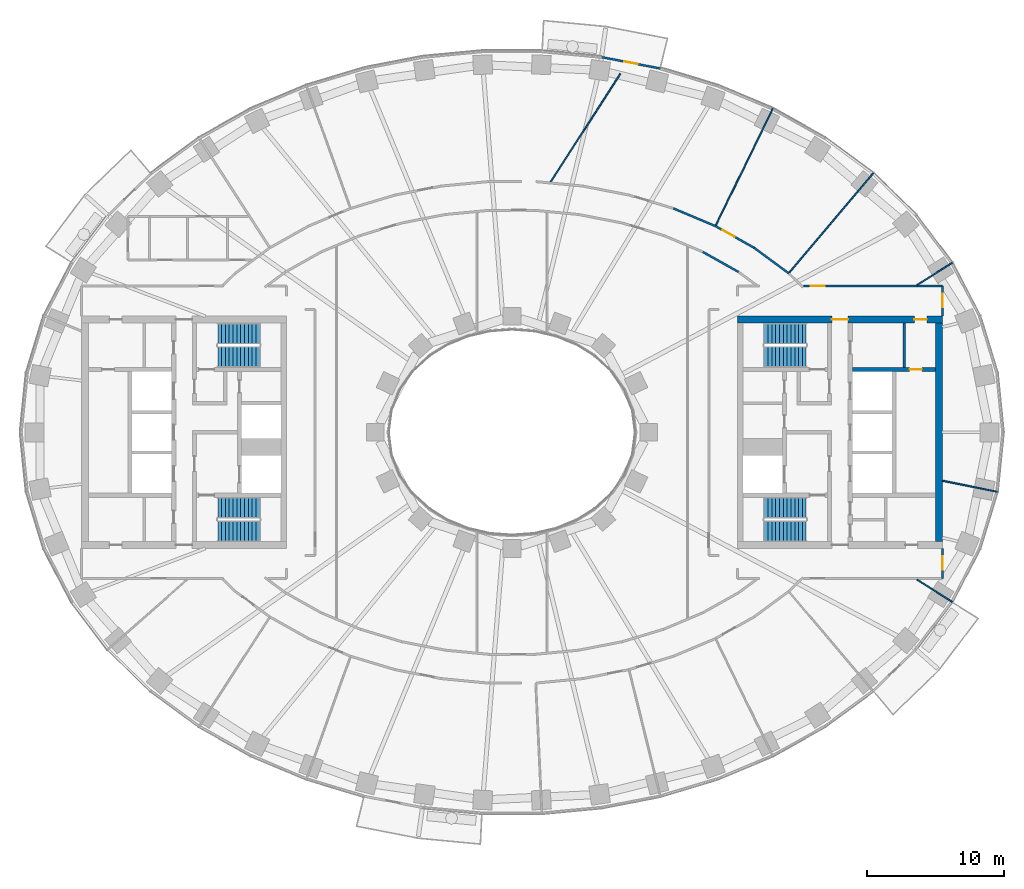
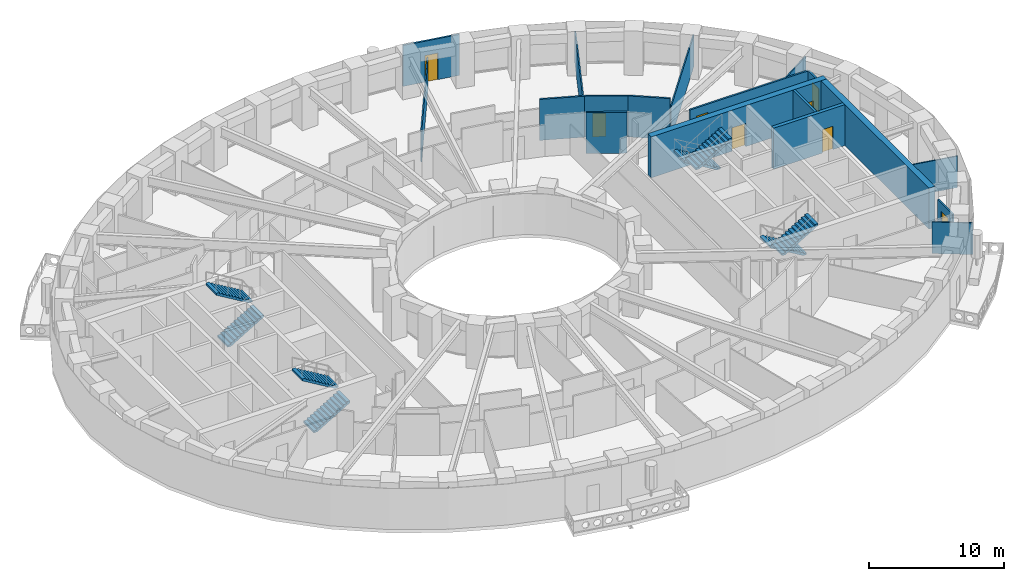
# One storey, part 7 of 16: 18 walls, 8 doors, 8 stair flights, 8 openings, 4 elements without a shape of their own.
"""IFC4 building model written with IfcOpenShell, lengths in metres."""

import ifcopenshell
import ifcopenshell.guid

model = None  # the IFC model being written
_history = None  # IfcOwnerHistory: only IFC2X3 demands one
_inside = {}  # id of a spatial element -> (the spatial element, [elements in it])
_under = {}  # id of a project, library or spatial element -> (it, [spatial elements below it])
_declared = {}  # id of a project -> (the project, [libraries it declares])
_typed = {}  # id of a type object -> (the type object, [elements of that type])
_made_of = {}  # id of a material, layer set ... -> (it, [elements and type objects made of it])


def new_model(schema):
    """Start an empty IFC model of exactly this schema.

    Asked for "IFC4X3", IfcOpenShell would pick the latest addendum, in which some entities
    have other attributes; the version numbers below select the first issue.
    IFC2X3 requires an IfcOwnerHistory on every rooted entity: one is made here for all.
    """
    global model, _history
    if schema == "IFC4X3":
        model = ifcopenshell.file(schema_version=(4, 3, 0, 0))
    else:
        model = ifcopenshell.file(schema=schema)
    _inside.clear()
    _under.clear()
    _declared.clear()
    _typed.clear()
    _made_of.clear()
    _history = None
    if model.schema == "IFC2X3":
        org = make("IfcOrganization", Name="unknown")
        user = make(
            "IfcPersonAndOrganization",
            ThePerson=make("IfcPerson", FamilyName="unknown"),
            TheOrganization=org,
        )
        app = make(
            "IfcApplication",
            ApplicationDeveloper=org,
            Version="unknown",
            ApplicationFullName="unknown",
            ApplicationIdentifier="unknown",
        )
        _history = make(
            "IfcOwnerHistory",
            OwningUser=user,
            OwningApplication=app,
            ChangeAction="ADDED",
            CreationDate=0,
        )
    return model


def make(cls, **values):
    """One entity of the class cls with the attributes given. An attribute that is None is left unset."""
    return model.create_entity(
        cls, **{name: value for name, value in values.items() if value is not None}
    )


def rooted(cls, **values):
    """An entity with a GlobalId (a new one), such as an element, a storey or a relation."""
    return make(cls, GlobalId=ifcopenshell.guid.new(), OwnerHistory=_history, **values)


def si_unit(unit_type, name, prefix=None):
    """IfcSIUnit, for example si_unit("LENGTHUNIT", "METRE", prefix="MILLI")."""
    return make("IfcSIUnit", UnitType=unit_type, Prefix=prefix, Name=name)


def assignment(units):
    """IfcUnitAssignment: the units of a project."""
    return None if units is None else make("IfcUnitAssignment", Units=units)


def point(xyz):
    """IfcCartesianPoint."""
    return None if xyz is None else make("IfcCartesianPoint", Coordinates=xyz)


def direction(xyz):
    """IfcDirection."""
    return None if xyz is None else make("IfcDirection", DirectionRatios=xyz)


def frame(location, z_axis=None, x_axis=None):
    """IfcAxis2Placement3D, a coordinate frame: its origin and axes. An axis left out is left unset."""
    return make(
        "IfcAxis2Placement3D",
        Location=point(location),
        Axis=direction(z_axis),
        RefDirection=direction(x_axis),
    )


def frame_2d(location, x_axis=None):
    """IfcAxis2Placement2D, a coordinate frame in the plane: its origin and x axis."""
    return make(
        "IfcAxis2Placement2D", Location=point(location), RefDirection=direction(x_axis)
    )


def origin():
    """The frame at (0, 0, 0) with its axes left unset."""
    return frame((0.0, 0.0, 0.0))


def place(relative_to, where):
    """IfcLocalPlacement: puts the frame where relative to a parent placement (None: the world)."""
    return make(
        "IfcLocalPlacement", PlacementRelTo=relative_to, RelativePlacement=where
    )


def context(
    kind, dimensions, precision=None, world=None, true_north=None, identifier=None
):
    """IfcGeometricRepresentationContext, for example the 3D "Model" context."""
    return make(
        "IfcGeometricRepresentationContext",
        ContextIdentifier=identifier,
        ContextType=kind,
        CoordinateSpaceDimension=dimensions,
        Precision=precision,
        WorldCoordinateSystem=world,
        TrueNorth=true_north,
    )


def subcontext(parent, identifier, kind, view, scale=None):
    """IfcGeometricRepresentationSubContext, for example "Body" below "Model"."""
    return make(
        "IfcGeometricRepresentationSubContext",
        ContextIdentifier=identifier,
        ContextType=kind,
        ParentContext=parent,
        TargetScale=scale,
        TargetView=view,
    )


def project(units=None, contexts=None):
    """IfcProject with its units and contexts."""
    return rooted(
        "IfcProject",
        Name="project",
        RepresentationContexts=contexts,
        UnitsInContext=assignment(units),
    )


def spatial(cls, under=None, at=None, **own):
    """A site, building, storey or space (cls), placed at a placement, below another one or the project."""
    s = rooted(cls, ObjectPlacement=at, **own)
    if under is not None:
        _under.setdefault(under.id(), (under, []))[1].append(s)
    return s


def polyline(points):
    """IfcPolyline through the points."""
    return make("IfcPolyline", Points=[point(p) for p in points])


def profile(cls, at=None, kind="AREA", **sizes):
    """A parametric profile (cls). Its sizes go by their IFC names, for example OverallWidth=200.0."""
    return make(cls, ProfileType=kind, Position=at, **sizes)


def rectangle(**sizes):
    """IfcRectangleProfileDef."""
    return profile("IfcRectangleProfileDef", **sizes)


def outline(outer, holes=None, kind="AREA"):
    """IfcArbitraryClosedProfileDef: a profile drawn as a closed curve; with holes, ...WithVoids."""
    if holes is None:
        return make("IfcArbitraryClosedProfileDef", ProfileType=kind, OuterCurve=outer)
    return make(
        "IfcArbitraryProfileDefWithVoids",
        ProfileType=kind,
        OuterCurve=outer,
        InnerCurves=holes,
    )


def extrude(swept, where, along, depth):
    """IfcExtrudedAreaSolid: the profile swept, set in the frame where, extruded along a direction by depth."""
    return make(
        "IfcExtrudedAreaSolid",
        SweptArea=swept,
        Position=where,
        ExtrudedDirection=direction(along),
        Depth=depth,
    )


def shape(context_of_items, identifier, shape_type, items):
    """IfcShapeRepresentation: the items that make up one representation, for example the "Body"."""
    return make(
        "IfcShapeRepresentation",
        ContextOfItems=context_of_items,
        RepresentationIdentifier=identifier,
        RepresentationType=shape_type,
        Items=items,
    )


def material(Name=None, Category=None):
    """IfcMaterial."""
    return make("IfcMaterial", Name=Name, Category=Category)


def layer(
    of_material, thickness, ventilated=None, Name=None, Category=None, Priority=None
):
    """IfcMaterialLayer: one layer of a wall or slab, of a material (None: an air gap)."""
    return make(
        "IfcMaterialLayer",
        Material=of_material,
        LayerThickness=thickness,
        IsVentilated=ventilated,
        Name=Name,
        Category=Category,
        Priority=Priority,
    )


def layer_set(layers, Name=None):
    """IfcMaterialLayerSet."""
    return make("IfcMaterialLayerSet", MaterialLayers=layers, LayerSetName=Name)


def made_of(thing, what):
    """Note that an element or type object is made of a material, layer set ...; save() writes the relation."""
    if what is not None:
        _made_of.setdefault(what.id(), (what, []))[1].append(thing)
    return thing


def type_object(cls, material=None, **own):
    """A type object (cls), such as IfcWallType, which elements share."""
    return made_of(rooted(cls, **own), material)


def element(
    cls,
    number,
    at=None,
    inside=None,
    cuts=None,
    type_object=None,
    material=None,
    context=None,
    identifier="Body",
    shape_type=None,
    held_by="IfcProductDefinitionShape",
    body=None,
    shapes=None,
    **own,
):
    """One element of the class cls, such as IfcWall. Its Tag is "e" and its number.

    at: its placement. inside: the storey or other place that contains it. cuts: it is an
    opening in that element (IfcRelVoidsElement). A single representation is given by context,
    identifier, shape_type and body (its items); several are given by shapes. held_by: the class
    of the entity that holds the representations. save() writes the other relations.
    """
    e = rooted(cls, Tag="e%d" % number, ObjectPlacement=at, **own)
    if body is not None:
        shapes = [shape(context, identifier, shape_type, body)]
    if shapes is not None:
        e.Representation = make(held_by, Representations=shapes)
    if inside is not None:
        _inside.setdefault(inside.id(), (inside, []))[1].append(e)
    if cuts is not None:
        rooted(
            "IfcRelVoidsElement", RelatingBuildingElement=cuts, RelatedOpeningElement=e
        )
    if type_object is not None:
        _typed.setdefault(type_object.id(), (type_object, []))[1].append(e)
    return made_of(e, material)


def fill(opening, filler):
    """IfcRelFillsElement: the door or window that sits in an opening."""
    return rooted(
        "IfcRelFillsElement",
        RelatingOpeningElement=opening,
        RelatedBuildingElement=filler,
    )


def aggregate(whole, parts):
    """IfcRelAggregates: a whole, such as a stair, and the parts it consists of."""
    return rooted("IfcRelAggregates", RelatingObject=whole, RelatedObjects=parts)


def save(model, path):
    """Write the relations noted so far, then the file.

    IfcRelAggregates (storeys below a building ...), IfcRelContainedInSpatialStructure (elements
    in a storey), IfcRelDefinesByType, IfcRelAssociatesMaterial and IfcRelDeclares: one each for
    every whole, place, type object, material and project.
    """
    for whole, parts in _under.values():
        aggregate(whole, parts)
    for where, things in _inside.values():
        rooted(
            "IfcRelContainedInSpatialStructure",
            RelatedElements=things,
            RelatingStructure=where,
        )
    for kind, things in _typed.values():
        rooted("IfcRelDefinesByType", RelatedObjects=things, RelatingType=kind)
    for what, things in _made_of.values():
        rooted("IfcRelAssociatesMaterial", RelatedObjects=things, RelatingMaterial=what)
    for by, libraries in _declared.values():
        rooted("IfcRelDeclares", RelatingContext=by, RelatedDefinitions=libraries)
    model.write(path)


model = new_model("IFC4")

# Units and contexts
model_context = context("Model", 3, precision=1e-05, world=origin(), true_north=direction((0.0, 1.0)))
body_context = subcontext(model_context, "Body", "Model", "MODEL_VIEW")
ifc_project = project(units=[si_unit("LENGTHUNIT", "METRE"), si_unit("AREAUNIT", "SQUARE_METRE"), si_unit("VOLUMEUNIT", "CUBIC_METRE"), si_unit("PLANEANGLEUNIT", "RADIAN"), si_unit("MASSUNIT", "GRAM", prefix="KILO")], contexts=[model_context])

# Site, building, storey
site_placement = place(None, origin())
site = spatial("IfcSite", under=ifc_project, at=site_placement, CompositionType="ELEMENT")
building_placement = place(site_placement, origin())
building = spatial("IfcBuilding", under=site, at=building_placement, Name="Noorbagh Ring Tower", CompositionType="ELEMENT")
storey_placement = place(building_placement, frame((0.0, 0.0, 70.5)))
storey = spatial("IfcBuildingStorey", under=building, at=storey_placement, Name="L15", CompositionType="ELEMENT", Elevation=70.5)

# Wall
ifc_material_1 = material(Name="Gypsum board on steel studs", Category="steel")
ifc_layer_1 = layer(ifc_material_1, 0.199951171875)
ifc_layer_set_1 = layer_set([ifc_layer_1], Name="Gypsum board on steel studs")
wall_type_1 = type_object("IfcWallType", Name="CORE-PARTITION-200", PredefinedType="PARTITIONING", material=ifc_layer_set_1)
wall_1_placement = place(storey_placement, frame((28.699951171875, 4.75, 0.0), z_axis=(0.0, 0.0, 1.0), x_axis=(0.0, 1.0, 0.0)))
element("IfcWall", 1, at=wall_1_placement, inside=storey, type_object=wall_type_1, Name="Core partition E", PredefinedType="PARTITIONING", context=body_context, shape_type="SweptSolid", body=[
    extrude(rectangle(XDim=3.25, YDim=0.199951171875, at=frame_2d((1.625, 0.0))), origin(), (0.0, 0.0, 1.0), 3.699951171875),
])

# Wall, opening, door
ifc_material_2 = material(Name="Concrete C70/85", Category="concrete")
ifc_layer_2 = layer(ifc_material_2, 0.300048828125)
ifc_layer_set_2 = layer_set([ifc_layer_2], Name="Concrete C70/85")
wall_type_2 = type_object("IfcWallType", Name="CORE-WALL-300-C70-85-EI240", PredefinedType="SHEAR", material=ifc_layer_set_2)
wall_2_placement = place(storey_placement, frame((24.89990234375, 4.60009765625, 0.0), z_axis=(0.0, 0.0, 1.0), x_axis=(1.0, 0.0, 0.0)))
wall_2 = element("IfcWall", 2, at=wall_2_placement, inside=storey, type_object=wall_type_2, Name="Core wall E", PredefinedType="SHEAR", context=body_context, shape_type="SweptSolid", body=[
    extrude(rectangle(XDim=6.10009765625, YDim=0.300048828125, at=frame_2d((3.050048828125, 0.0))), origin(), (0.0, 0.0, 1.0), 3.699951171875),
])
opening_1_placement = place(wall_2_placement, frame((4.199951171875, 0.0, 0.0)))
opening_1 = element("IfcOpeningElement", 3, at=opening_1_placement, cuts=wall_2, Name="Opening L15-CE18", PredefinedType="OPENING", context=body_context, shape_type="SweptSolid", body=[
    extrude(rectangle(XDim=0.89990234375, YDim=2.10009765625, at=frame_2d((0.449951171875, 1.050048828125))), frame((0.0, 0.16015625, 0.0), z_axis=(0.0, -1.0, 0.0), x_axis=(1.0, 0.0, 0.0)), (0.0, 0.0, 1.0), 0.320068359375),
])
ifc_material_3 = material(Name="Steel door leaf", Category="steel")
door_type_1 = type_object("IfcDoorType", Name="CORE-DOOR-DROOM", OperationType="SINGLE_SWING_LEFT", PredefinedType="DOOR", material=ifc_material_3)
door_1_placement = place(opening_1_placement, origin())
door_1 = element("IfcDoor", 4, at=door_1_placement, inside=storey, type_object=door_type_1, Name="Core room door L15-CE18", OperationType="SINGLE_SWING_RIGHT", OverallHeight=2.10009765625, OverallWidth=0.89990234375, PredefinedType="DOOR", context=body_context, shape_type="SweptSolid", body=[
    extrude(rectangle(XDim=0.89990234375, YDim=2.10009765625, at=frame_2d((0.449951171875, 1.050048828125))), frame((0.0, 0.02490234375, 0.0), z_axis=(0.0, -1.0, 0.0), x_axis=(1.0, 0.0, 0.0)), (0.0, 0.0, 1.0), 0.050048828125),
])
fill(opening_1, door_1)

# Wall, openings, doors
ifc_material_4 = material(Name="Concrete C70/85", Category="concrete")
ifc_layer_3 = layer(ifc_material_4, 0.5)
ifc_layer_set_3 = layer_set([ifc_layer_3], Name="Concrete C70/85")
wall_type_3 = type_object("IfcWallType", Name="CORE-WALL-500-C70-85-EI240", PredefinedType="SHEAR", material=ifc_layer_set_3)
wall_3_placement = place(storey_placement, frame((16.5, 8.25, 0.0), z_axis=(0.0, 0.0, 1.0), x_axis=(1.0, 0.0, 0.0)))
wall_3 = element("IfcWall", 5, at=wall_3_placement, inside=storey, type_object=wall_type_3, Name="Core wall E", PredefinedType="SHEAR", context=body_context, shape_type="SweptSolid", body=[
    extrude(rectangle(XDim=15.0, YDim=0.5, at=frame_2d((7.5, 0.0))), origin(), (0.0, 0.0, 1.0), 3.699951171875),
])
opening_2_placement = place(wall_3_placement, frame((6.89990234375, 0.0, 0.0)))
opening_2 = element("IfcOpeningElement", 6, at=opening_2_placement, cuts=wall_3, Name="Opening L15-CE09", PredefinedType="OPENING", context=body_context, shape_type="SweptSolid", body=[
    extrude(rectangle(XDim=1.199951171875, YDim=2.10009765625, at=frame_2d((0.60009765625, 1.050048828125))), frame((0.0, 0.260009765625, 0.0), z_axis=(0.0, -1.0, 0.0), x_axis=(1.0, 0.0, 0.0)), (0.0, 0.0, 1.0), 0.52001953125),
])
opening_3_placement = place(wall_3_placement, frame((12.949951171875, 0.0, 0.0)))
opening_3 = element("IfcOpeningElement", 7, at=opening_3_placement, cuts=wall_3, Name="Opening L15-CE14", PredefinedType="OPENING", context=body_context, shape_type="SweptSolid", body=[
    extrude(rectangle(XDim=0.89990234375, YDim=2.10009765625, at=frame_2d((0.449951171875, 1.050048828125))), frame((0.0, 0.260009765625, 0.0), z_axis=(0.0, -1.0, 0.0), x_axis=(1.0, 0.0, 0.0)), (0.0, 0.0, 1.0), 0.52001953125),
])
door_2_placement = place(opening_3_placement, origin())
door_2 = element("IfcDoor", 8, at=door_2_placement, inside=storey, type_object=door_type_1, Name="Core room door L15-CE14", OperationType="SINGLE_SWING_LEFT", OverallHeight=2.10009765625, OverallWidth=0.89990234375, PredefinedType="DOOR", context=body_context, shape_type="SweptSolid", body=[
    extrude(rectangle(XDim=0.89990234375, YDim=2.10009765625, at=frame_2d((0.449951171875, 1.050048828125))), frame((0.0, 0.02490234375, 0.0), z_axis=(0.0, -1.0, 0.0), x_axis=(1.0, 0.0, 0.0)), (0.0, 0.0, 1.0), 0.050048828125),
])
fill(opening_3, door_2)
ifc_material_5 = material(Name="Steel door leaf", Category="steel")
door_type_2 = type_object("IfcDoorType", Name="CORE-DOOR-PORT", OperationType="DOUBLE_DOOR_DOUBLE_SWING", PredefinedType="DOOR", material=ifc_material_5)
door_3_placement = place(opening_2_placement, origin())
door_3 = element("IfcDoor", 9, at=door_3_placement, inside=storey, type_object=door_type_2, Name="Core entrance door L15-CE09", OperationType="DOUBLE_DOOR_DOUBLE_SWING", OverallHeight=2.10009765625, OverallWidth=1.199951171875, PredefinedType="DOOR", context=body_context, shape_type="SweptSolid", body=[
    extrude(rectangle(XDim=1.199951171875, YDim=2.10009765625, at=frame_2d((0.60009765625, 1.050048828125))), frame((0.0, 0.02490234375, 0.0), z_axis=(0.0, -1.0, 0.0), x_axis=(1.0, 0.0, 0.0)), (0.0, 0.0, 1.0), 0.050048828125),
])
fill(opening_2, door_3)

# Walls
wall_4_placement = place(storey_placement, frame((31.25, -8.0, 0.0), z_axis=(0.0, 0.0, 1.0), x_axis=(0.0, 1.0, 0.0)))
element("IfcWall", 10, at=wall_4_placement, inside=storey, type_object=wall_type_3, Name="Core wall E", PredefinedType="SHEAR", context=body_context, shape_type="SweptSolid", body=[
    extrude(rectangle(XDim=16.0, YDim=0.5, at=frame_2d((8.0, 0.0))), origin(), (0.0, 0.0, 1.0), 3.699951171875),
])
ifc_material_6 = material(Name="Gypsum board on steel studs", Category="steel")
ifc_layer_4 = layer(ifc_material_6, 0.14990234375)
ifc_layer_set_4 = layer_set([ifc_layer_4], Name="Gypsum board on steel studs")
wall_type_4 = type_object("IfcWallType", Name="CORRIDOR PARTITION 150 EI 30", PredefinedType="PARTITIONING", material=ifc_layer_set_4)
wall_5_placement = place(storey_placement, frame((11.81201171875, 16.384033203125, 0.0), z_axis=(0.0, 0.0, 1.0), x_axis=(0.921839278558, -0.387572373252, 0.0)))
element("IfcWall", 11, at=wall_5_placement, inside=storey, type_object=wall_type_4, Name="L15/wall/P79", PredefinedType="PARTITIONING", context=body_context, shape_type="SweptSolid", body=[
    extrude(rectangle(XDim=3.33349609375, YDim=0.14990234375, at=frame_2d((1.666748046875, 0.0))), origin(), (0.0, 0.0, 1.0), 3.699951171875),
])
wall_6_placement = place(storey_placement, frame((13.9609375, 13.201904296875, 0.0), z_axis=(0.0, 0.0, 1.0), x_axis=(0.872164226045, -0.489213207924, 0.0)))
element("IfcWall", 12, at=wall_6_placement, inside=storey, type_object=wall_type_4, Name="L15/wall/P82", PredefinedType="PARTITIONING", context=body_context, shape_type="SweptSolid", body=[
    extrude(rectangle(XDim=2.998291015625, YDim=0.14990234375, at=frame_2d((1.4990234375, 0.0))), origin(), (0.0, 0.0, 1.0), 3.699951171875),
])

# Wall, opening, door
wall_7_placement = place(storey_placement, frame((14.902099609375, 15.08203125, 0.0), z_axis=(0.0, 0.0, 1.0), x_axis=(0.872144615544, -0.489248167679, 0.0)))
wall_7 = element("IfcWall", 13, at=wall_7_placement, inside=storey, type_object=wall_type_4, Name="L15/wall/P89", PredefinedType="PARTITIONING", context=body_context, shape_type="SweptSolid", body=[
    extrude(rectangle(XDim=3.2275390625, YDim=0.14990234375, at=frame_2d((1.61376953125, 0.0))), origin(), (0.0, 0.0, 1.0), 3.699951171875),
])
opening_4_placement = place(wall_7_placement, frame((0.57763671875, 0.0, 0.0)))
opening_4 = element("IfcOpeningElement", 14, at=opening_4_placement, cuts=wall_7, Name="Opening D1", PredefinedType="OPENING", context=body_context, shape_type="SweptSolid", body=[
    extrude(rectangle(XDim=1.0, YDim=2.10009765625, at=frame_2d((0.5, 1.050048828125))), frame((0.0, 0.0849609375, 0.0), z_axis=(0.0, -1.0, 0.0), x_axis=(1.0, 0.0, 0.0)), (0.0, 0.0, 1.0), 0.169921875),
])
ifc_material_7 = material(Name="Timber, painted", Category="wood")
door_type_3 = type_object("IfcDoorType", Name="DOOR 1000 X 2100 FD30", OperationType="SINGLE_SWING_LEFT", PredefinedType="DOOR", material=ifc_material_7)
door_4_placement = place(opening_4_placement, origin())
door_4 = element("IfcDoor", 15, at=door_4_placement, inside=storey, type_object=door_type_3, Name="L15-D16", OperationType="SINGLE_SWING_RIGHT", OverallHeight=2.10009765625, OverallWidth=1.0, PredefinedType="DOOR", context=body_context, shape_type="SweptSolid", body=[
    extrude(rectangle(XDim=1.0, YDim=2.10009765625, at=frame_2d((0.5, 1.050048828125))), frame((0.0, 0.02490234375, 0.0), z_axis=(0.0, -1.0, 0.0), x_axis=(1.0, 0.0, 0.0)), (0.0, 0.0, 1.0), 0.050048828125),
])
fill(opening_4, door_4)

# Wall
wall_8_placement = place(storey_placement, frame((17.717041015625, 13.5029296875, 0.0), z_axis=(0.0, 0.0, 1.0), x_axis=(0.805106688633, -0.593130019404, 0.0)))
element("IfcWall", 16, at=wall_8_placement, inside=storey, type_object=wall_type_4, Name="L15/wall/P97", PredefinedType="PARTITIONING", context=body_context, shape_type="SweptSolid", body=[
    extrude(rectangle(XDim=3.13720703125, YDim=0.14990234375, at=frame_2d((1.568603515625, 0.0))), origin(), (0.0, 0.0, 1.0), 3.699951171875),
])

# Wall, opening, door
wall_9_placement = place(storey_placement, frame((21.320068359375, 10.699951171875, 0.0), z_axis=(0.0, 0.0, 1.0), x_axis=(1.0, 0.0, 0.0)))
wall_9 = element("IfcWall", 17, at=wall_9_placement, inside=storey, type_object=wall_type_4, Name="L15/wall/P103", PredefinedType="PARTITIONING", context=body_context, shape_type="SweptSolid", body=[
    extrude(rectangle(XDim=10.179931640625, YDim=0.14990234375, at=frame_2d((5.08984375, 0.0))), origin(), (0.0, 0.0, 1.0), 2.85009765625),
])
opening_5_placement = place(wall_9_placement, frame((0.551025390625, 0.0, 0.0)))
opening_5 = element("IfcOpeningElement", 18, at=opening_5_placement, cuts=wall_9, Name="Opening D1", PredefinedType="OPENING", context=body_context, shape_type="SweptSolid", body=[
    extrude(rectangle(XDim=1.0, YDim=2.10009765625, at=frame_2d((0.5, 1.050048828125))), frame((0.0, 0.0849609375, 0.0), z_axis=(0.0, -1.0, 0.0), x_axis=(1.0, 0.0, 0.0)), (0.0, 0.0, 1.0), 0.169921875),
])
door_5_placement = place(opening_5_placement, origin())
door_5 = element("IfcDoor", 19, at=door_5_placement, inside=storey, type_object=door_type_3, Name="L15-D18", OperationType="SINGLE_SWING_RIGHT", OverallHeight=2.10009765625, OverallWidth=1.0, PredefinedType="DOOR", context=body_context, shape_type="SweptSolid", body=[
    extrude(rectangle(XDim=1.0, YDim=2.10009765625, at=frame_2d((0.5, 1.050048828125))), frame((0.0, 0.02490234375, 0.0), z_axis=(0.0, -1.0, 0.0), x_axis=(1.0, 0.0, 0.0)), (0.0, 0.0, 1.0), 0.050048828125),
])
fill(opening_5, door_5)

wall_10_placement = place(storey_placement, frame((31.5, -10.699951171875, 0.0), z_axis=(0.0, 0.0, 1.0), x_axis=(0.0, 1.0, 0.0)))
wall_10 = element("IfcWall", 20, at=wall_10_placement, inside=storey, type_object=wall_type_4, Name="L15/wall/P106", PredefinedType="PARTITIONING", context=body_context, shape_type="SweptSolid", body=[
    extrude(rectangle(XDim=2.199951171875, YDim=0.14990234375, at=frame_2d((1.10009765625, 0.0))), origin(), (0.0, 0.0, 1.0), 2.85009765625),
])
opening_6_placement = place(wall_10_placement, frame((0.64990234375, 0.0, 0.0)))
opening_6 = element("IfcOpeningElement", 21, at=opening_6_placement, cuts=wall_10, Name="Opening D1", PredefinedType="OPENING", context=body_context, shape_type="SweptSolid", body=[
    extrude(rectangle(XDim=1.0, YDim=2.10009765625, at=frame_2d((0.5, 1.050048828125))), frame((0.0, 0.0849609375, 0.0), z_axis=(0.0, -1.0, 0.0), x_axis=(1.0, 0.0, 0.0)), (0.0, 0.0, 1.0), 0.169921875),
])
door_6_placement = place(opening_6_placement, origin())
door_6 = element("IfcDoor", 22, at=door_6_placement, inside=storey, type_object=door_type_3, Name="L15-D19", OperationType="SINGLE_SWING_LEFT", OverallHeight=2.10009765625, OverallWidth=1.0, PredefinedType="DOOR", context=body_context, shape_type="SweptSolid", body=[
    extrude(rectangle(XDim=1.0, YDim=2.10009765625, at=frame_2d((0.5, 1.050048828125))), frame((0.0, 0.02490234375, 0.0), z_axis=(0.0, -1.0, 0.0), x_axis=(1.0, 0.0, 0.0)), (0.0, 0.0, 1.0), 0.050048828125),
])
fill(opening_6, door_6)

wall_11_placement = place(storey_placement, frame((31.5, 8.5, 0.0), z_axis=(0.0, 0.0, 1.0), x_axis=(0.0, 1.0, 0.0)))
wall_11 = element("IfcWall", 23, at=wall_11_placement, inside=storey, type_object=wall_type_4, Name="L15/wall/P108", PredefinedType="PARTITIONING", context=body_context, shape_type="SweptSolid", body=[
    extrude(rectangle(XDim=2.199951171875, YDim=0.14990234375, at=frame_2d((1.10009765625, 0.0))), origin(), (0.0, 0.0, 1.0), 2.85009765625),
])
opening_7_placement = place(wall_11_placement, frame((0.64990234375, 0.0, 0.0)))
opening_7 = element("IfcOpeningElement", 24, at=opening_7_placement, cuts=wall_11, Name="Opening D1", PredefinedType="OPENING", context=body_context, shape_type="SweptSolid", body=[
    extrude(rectangle(XDim=1.0, YDim=2.10009765625, at=frame_2d((0.5, 1.050048828125))), frame((0.0, 0.0849609375, 0.0), z_axis=(0.0, -1.0, 0.0), x_axis=(1.0, 0.0, 0.0)), (0.0, 0.0, 1.0), 0.169921875),
])
door_7_placement = place(opening_7_placement, origin())
door_7 = element("IfcDoor", 25, at=door_7_placement, inside=storey, type_object=door_type_3, Name="L15-D20", OperationType="SINGLE_SWING_RIGHT", OverallHeight=2.10009765625, OverallWidth=1.0, PredefinedType="DOOR", context=body_context, shape_type="SweptSolid", body=[
    extrude(rectangle(XDim=1.0, YDim=2.10009765625, at=frame_2d((0.5, 1.050048828125))), frame((0.0, 0.02490234375, 0.0), z_axis=(0.0, -1.0, 0.0), x_axis=(1.0, 0.0, 0.0)), (0.0, 0.0, 1.0), 0.050048828125),
])
fill(opening_7, door_7)

ifc_material_8 = material(Name="Insulated aluminium clad panel", Category="aluminium")
ifc_layer_5 = layer(ifc_material_8, 0.14990234375)
ifc_layer_set_5 = layer_set([ifc_layer_5], Name="Insulated aluminium clad panel")
wall_type_5 = type_object("IfcWallType", Name="ENV-WALL-DOOR", PredefinedType="STANDARD", material=ifc_layer_set_5)
wall_12_placement = place(storey_placement, frame((10.87060546875, 26.616943359375, 0.0), z_axis=(0.0, 0.0, 1.0), x_axis=(-0.981631174778, 0.190788460615, 0.0)))
wall_12 = element("IfcWall", 26, at=wall_12_placement, inside=storey, type_object=wall_type_5, Name="Balcony door wall chord 10", PredefinedType="STANDARD", context=body_context, shape_type="SweptSolid", body=[
    extrude(rectangle(XDim=4.42626953125, YDim=0.14990234375, at=frame_2d((2.213134765625, 0.0))), origin(), (0.0, 0.0, 1.0), 3.699951171875),
])
opening_8_placement = place(wall_12_placement, frame((1.713134765625, 0.0, 0.0)))
opening_8 = element("IfcOpeningElement", 27, at=opening_8_placement, cuts=wall_12, Name="Opening D-BL", PredefinedType="OPENING", context=body_context, shape_type="SweptSolid", body=[
    extrude(rectangle(XDim=1.0, YDim=2.39990234375, at=frame_2d((0.5, 1.199951171875))), frame((0.0, 0.0849609375, 0.0), z_axis=(0.0, -1.0, 0.0), x_axis=(1.0, 0.0, 0.0)), (0.0, 0.0, 1.0), 0.169921875),
])
ifc_material_9 = material(Name="Aluminium and glass", Category="aluminium")
door_type_4 = type_object("IfcDoorType", Name="ENV-DOOR-BALCONY", OperationType="SINGLE_SWING_LEFT", PredefinedType="DOOR", material=ifc_material_9)
door_8_placement = place(opening_8_placement, origin())
door_8 = element("IfcDoor", 28, at=door_8_placement, inside=storey, type_object=door_type_4, Name="Balcony door chord 10", OperationType="SINGLE_SWING_RIGHT", OverallHeight=2.39990234375, OverallWidth=1.0, PredefinedType="DOOR", context=body_context, shape_type="SweptSolid", body=[
    extrude(rectangle(XDim=1.0, YDim=2.39990234375, at=frame_2d((0.5, 1.199951171875))), frame((0.0, 0.02490234375, 0.0), z_axis=(0.0, -1.0, 0.0), x_axis=(1.0, 0.0, 0.0)), (0.0, 0.0, 1.0), 0.050048828125),
])
fill(opening_8, door_8)

# Walls
ifc_material_10 = material(Name="Gypsum board on steel studs", Category="steel")
ifc_layer_6 = layer(ifc_material_10, 0.10009765625)
ifc_layer_set_6 = layer_set([ifc_layer_6], Name="Gypsum board on steel studs")
wall_type_6 = type_object("IfcWallType", Name="PARTITION 100 GYPSUM", PredefinedType="PARTITIONING", material=ifc_layer_set_6)
wall_13_placement = place(storey_placement, frame((2.822021484375, 18.320068359375, 0.0), z_axis=(0.0, 0.0, 1.0), x_axis=(0.542318130681, 0.840173223291, 0.0)))
element("IfcWall", 29, at=wall_13_placement, inside=storey, type_object=wall_type_6, Name="L15/wall/P66", PredefinedType="PARTITIONING", context=body_context, shape_type="SweptSolid", body=[
    extrude(rectangle(XDim=9.419677734375, YDim=0.10009765625, at=frame_2d((4.7099609375, 0.0))), origin(), (0.0, 0.0, 1.0), 2.85009765625),
])
wall_14_placement = place(storey_placement, frame((14.886962890625, 15.095947265625, 0.0), z_axis=(0.0, 0.0, 1.0), x_axis=(0.439197765869, 0.89839040648, 0.0)))
element("IfcWall", 30, at=wall_14_placement, inside=storey, type_object=wall_type_6, Name="L15/wall/P87", PredefinedType="PARTITIONING", context=body_context, shape_type="SweptSolid", body=[
    extrude(rectangle(XDim=9.560546875, YDim=0.10009765625, at=frame_2d((4.7802734375, 0.0))), origin(), (0.0, 0.0, 1.0), 2.85009765625),
])
wall_15_placement = place(storey_placement, frame((20.2451171875, 11.64501953125, 0.0), z_axis=(0.0, 0.0, 1.0), x_axis=(0.646420249139, 0.762981560395, 0.0)))
element("IfcWall", 31, at=wall_15_placement, inside=storey, type_object=wall_type_6, Name="L15/wall/P99", PredefinedType="PARTITIONING", context=body_context, shape_type="SweptSolid", body=[
    extrude(rectangle(XDim=9.56787109375, YDim=0.10009765625, at=frame_2d((4.783935546875, 0.0))), origin(), (0.0, 0.0, 1.0), 2.85009765625),
])
for number, where, z_axis, x_axis, name in (
    (32, (29.636962890625, -10.777099609375, 0.0), (0.0, 0.0, 1.0), (0.844810627195, -0.535065420467, 0.0), "L15/wall/P104"),
    (33, (29.636962890625, 10.777099609375, 0.0), (0.0, 0.0, 1.0), (0.844810627195, 0.535065420467, 0.0), "L15/wall/P105"),
):
    element("IfcWall", number, at=place(storey_placement, frame(where, z_axis=z_axis, x_axis=x_axis)), inside=storey, type_object=wall_type_6, Name=name, PredefinedType="PARTITIONING", context=body_context, shape_type="SweptSolid", body=[
        extrude(rectangle(XDim=3.0478515625, YDim=0.10009765625, at=frame_2d((1.52392578125, 0.0))), origin(), (0.0, 0.0, 1.0), 2.85009765625),
    ])
wall_16_placement = place(storey_placement, frame((31.5, -3.5419921875, 0.0), z_axis=(0.0, 0.0, 1.0), x_axis=(0.980357474535, -0.197228857227, 0.0)))
element("IfcWall", 34, at=wall_16_placement, inside=storey, type_object=wall_type_6, Name="L15/wall/P107", PredefinedType="PARTITIONING", context=body_context, shape_type="SweptSolid", body=[
    extrude(rectangle(XDim=4.09228515625, YDim=0.10009765625, at=frame_2d((2.046142578125, 0.0))), origin(), (0.0, 0.0, 1.0), 2.85009765625),
])

# Stair, stair flights
ifc_material_11 = material(Name="Concrete C40/50", Category="concrete")
stair_type = type_object("IfcStairType", Name="CORE-STAIR", PredefinedType="HALF_TURN_STAIR", material=ifc_material_11)
stair_1_placement = place(storey_placement, origin())
stair_1 = element("IfcStair", 35, at=stair_1_placement, inside=storey, type_object=stair_type, Name="L15 Exit stair ST1", PredefinedType="HALF_TURN_STAIR")
ifc_material_12 = material(Name="Concrete C40/50", Category="concrete")
stair_flight_type = type_object("IfcStairFlightType", Name="CORE-STAIR-FLIGHT", PredefinedType="STRAIGHT", material=ifc_material_12)
stair_flight_1_placement = place(storey_placement, frame((-21.530029296875, 5.52490234375, 0.0), z_axis=(0.0, 0.0, 1.0), x_axis=(1.0, 0.0, 0.0)))
stair_flight_1 = element("IfcStairFlight", 36, at=stair_flight_1_placement, type_object=stair_flight_type, Name="ST1 flight 1", NumberOfRisers=12, NumberOfTreads=11, PredefinedType="STRAIGHT", RiserHeight=0.166666667, TreadLength=0.28, context=body_context, shape_type="SweptSolid", body=[
    extrude(outline(polyline([(0.0, 0.0), (0.0, 0.166748046875), (0.280029296875, 0.166748046875), (0.280029296875, 0.333251953125), (0.56005859375, 0.333251953125), (0.56005859375, 0.5), (0.840087890625, 0.5), (0.840087890625, 0.666748046875), (1.1201171875, 0.666748046875), (1.1201171875, 0.833251953125), (1.39990234375, 0.833251953125), (1.39990234375, 1.0), (1.679931640625, 1.0), (1.679931640625, 1.166748046875), (1.9599609375, 1.166748046875), (1.9599609375, 1.333251953125), (2.239990234375, 1.333251953125), (2.239990234375, 1.5), (2.52001953125, 1.5), (2.52001953125, 1.666748046875), (2.800048828125, 1.666748046875), (2.800048828125, 1.833251953125), (3.080078125, 1.833251953125), (3.080078125, 2.0), (3.080078125, 1.658935546875), (0.29296875, 0.0), (0.0, 0.0)])), frame((0.0, 0.77490234375, 0.0), z_axis=(0.0, -1.0, 0.0), x_axis=(1.0, 0.0, 0.0)), (0.0, 0.0, 1.0), 1.550048828125),
])
stair_flight_2_placement = place(storey_placement, frame((-18.449951171875, 7.22509765625, 2.0), z_axis=(0.0, 0.0, 1.0), x_axis=(-1.0, 0.0, 0.0)))
stair_flight_2 = element("IfcStairFlight", 37, at=stair_flight_2_placement, type_object=stair_flight_type, Name="ST1 flight 2", NumberOfRisers=12, NumberOfTreads=11, PredefinedType="STRAIGHT", RiserHeight=0.166666667, TreadLength=0.28, context=body_context, shape_type="SweptSolid", body=[
    extrude(outline(polyline([(0.0, 0.0), (0.0, 0.166748046875), (0.280029296875, 0.166748046875), (0.280029296875, 0.333251953125), (0.56005859375, 0.333251953125), (0.56005859375, 0.5), (0.840087890625, 0.5), (0.840087890625, 0.666748046875), (1.1201171875, 0.666748046875), (1.1201171875, 0.833251953125), (1.39990234375, 0.833251953125), (1.39990234375, 1.0), (1.679931640625, 1.0), (1.679931640625, 1.166748046875), (1.9599609375, 1.166748046875), (1.9599609375, 1.333251953125), (2.239990234375, 1.333251953125), (2.239990234375, 1.5), (2.52001953125, 1.5), (2.52001953125, 1.666748046875), (2.800048828125, 1.666748046875), (2.800048828125, 1.833251953125), (3.080078125, 1.833251953125), (3.080078125, 2.0), (3.080078125, 1.658935546875), (0.29296875, 0.0), (0.0, 0.0)])), frame((0.0, 0.77490234375, 0.0), z_axis=(0.0, -1.0, 0.0), x_axis=(1.0, 0.0, 0.0)), (0.0, 0.0, 1.0), 1.550048828125),
])
aggregate(stair_1, [stair_flight_1, stair_flight_2])

stair_2_placement = place(storey_placement, origin())
stair_2 = element("IfcStair", 38, at=stair_2_placement, inside=storey, type_object=stair_type, Name="L15 Exit stair ST2", PredefinedType="HALF_TURN_STAIR")
stair_flight_3_placement = place(storey_placement, frame((-21.530029296875, -7.22509765625, 0.0), z_axis=(0.0, 0.0, 1.0), x_axis=(1.0, 0.0, 0.0)))
stair_flight_3 = element("IfcStairFlight", 39, at=stair_flight_3_placement, type_object=stair_flight_type, Name="ST2 flight 1", NumberOfRisers=12, NumberOfTreads=11, PredefinedType="STRAIGHT", RiserHeight=0.166666667, TreadLength=0.28, context=body_context, shape_type="SweptSolid", body=[
    extrude(outline(polyline([(0.0, 0.0), (0.0, 0.166748046875), (0.280029296875, 0.166748046875), (0.280029296875, 0.333251953125), (0.56005859375, 0.333251953125), (0.56005859375, 0.5), (0.840087890625, 0.5), (0.840087890625, 0.666748046875), (1.1201171875, 0.666748046875), (1.1201171875, 0.833251953125), (1.39990234375, 0.833251953125), (1.39990234375, 1.0), (1.679931640625, 1.0), (1.679931640625, 1.166748046875), (1.9599609375, 1.166748046875), (1.9599609375, 1.333251953125), (2.239990234375, 1.333251953125), (2.239990234375, 1.5), (2.52001953125, 1.5), (2.52001953125, 1.666748046875), (2.800048828125, 1.666748046875), (2.800048828125, 1.833251953125), (3.080078125, 1.833251953125), (3.080078125, 2.0), (3.080078125, 1.658935546875), (0.29296875, 0.0), (0.0, 0.0)])), frame((0.0, 0.77490234375, 0.0), z_axis=(0.0, -1.0, 0.0), x_axis=(1.0, 0.0, 0.0)), (0.0, 0.0, 1.0), 1.550048828125),
])
stair_flight_4_placement = place(storey_placement, frame((-18.449951171875, -5.52490234375, 2.0), z_axis=(0.0, 0.0, 1.0), x_axis=(-1.0, 0.0, 0.0)))
stair_flight_4 = element("IfcStairFlight", 40, at=stair_flight_4_placement, type_object=stair_flight_type, Name="ST2 flight 2", NumberOfRisers=12, NumberOfTreads=11, PredefinedType="STRAIGHT", RiserHeight=0.166666667, TreadLength=0.28, context=body_context, shape_type="SweptSolid", body=[
    extrude(outline(polyline([(0.0, 0.0), (0.0, 0.166748046875), (0.280029296875, 0.166748046875), (0.280029296875, 0.333251953125), (0.56005859375, 0.333251953125), (0.56005859375, 0.5), (0.840087890625, 0.5), (0.840087890625, 0.666748046875), (1.1201171875, 0.666748046875), (1.1201171875, 0.833251953125), (1.39990234375, 0.833251953125), (1.39990234375, 1.0), (1.679931640625, 1.0), (1.679931640625, 1.166748046875), (1.9599609375, 1.166748046875), (1.9599609375, 1.333251953125), (2.239990234375, 1.333251953125), (2.239990234375, 1.5), (2.52001953125, 1.5), (2.52001953125, 1.666748046875), (2.800048828125, 1.666748046875), (2.800048828125, 1.833251953125), (3.080078125, 1.833251953125), (3.080078125, 2.0), (3.080078125, 1.658935546875), (0.29296875, 0.0), (0.0, 0.0)])), frame((0.0, 0.77490234375, 0.0), z_axis=(0.0, -1.0, 0.0), x_axis=(1.0, 0.0, 0.0)), (0.0, 0.0, 1.0), 1.550048828125),
])
aggregate(stair_2, [stair_flight_3, stair_flight_4])

stair_3_placement = place(storey_placement, origin())
stair_3 = element("IfcStair", 41, at=stair_3_placement, inside=storey, type_object=stair_type, Name="L15 Exit stair ST3", PredefinedType="HALF_TURN_STAIR")
stair_flight_5_placement = place(storey_placement, frame((21.530029296875, 7.22509765625, 0.0), z_axis=(0.0, 0.0, 1.0), x_axis=(-1.0, 0.0, 0.0)))
stair_flight_5 = element("IfcStairFlight", 42, at=stair_flight_5_placement, type_object=stair_flight_type, Name="ST3 flight 1", NumberOfRisers=12, NumberOfTreads=11, PredefinedType="STRAIGHT", RiserHeight=0.166666667, TreadLength=0.28, context=body_context, shape_type="SweptSolid", body=[
    extrude(outline(polyline([(0.0, 0.0), (0.0, 0.166748046875), (0.280029296875, 0.166748046875), (0.280029296875, 0.333251953125), (0.56005859375, 0.333251953125), (0.56005859375, 0.5), (0.840087890625, 0.5), (0.840087890625, 0.666748046875), (1.1201171875, 0.666748046875), (1.1201171875, 0.833251953125), (1.39990234375, 0.833251953125), (1.39990234375, 1.0), (1.679931640625, 1.0), (1.679931640625, 1.166748046875), (1.9599609375, 1.166748046875), (1.9599609375, 1.333251953125), (2.239990234375, 1.333251953125), (2.239990234375, 1.5), (2.52001953125, 1.5), (2.52001953125, 1.666748046875), (2.800048828125, 1.666748046875), (2.800048828125, 1.833251953125), (3.080078125, 1.833251953125), (3.080078125, 2.0), (3.080078125, 1.658935546875), (0.29296875, 0.0), (0.0, 0.0)])), frame((0.0, 0.77490234375, 0.0), z_axis=(0.0, -1.0, 0.0), x_axis=(1.0, 0.0, 0.0)), (0.0, 0.0, 1.0), 1.550048828125),
])
stair_flight_6_placement = place(storey_placement, frame((18.449951171875, 5.52490234375, 2.0), z_axis=(0.0, 0.0, 1.0), x_axis=(1.0, 0.0, 0.0)))
stair_flight_6 = element("IfcStairFlight", 43, at=stair_flight_6_placement, type_object=stair_flight_type, Name="ST3 flight 2", NumberOfRisers=12, NumberOfTreads=11, PredefinedType="STRAIGHT", RiserHeight=0.166666667, TreadLength=0.28, context=body_context, shape_type="SweptSolid", body=[
    extrude(outline(polyline([(0.0, 0.0), (0.0, 0.166748046875), (0.280029296875, 0.166748046875), (0.280029296875, 0.333251953125), (0.56005859375, 0.333251953125), (0.56005859375, 0.5), (0.840087890625, 0.5), (0.840087890625, 0.666748046875), (1.1201171875, 0.666748046875), (1.1201171875, 0.833251953125), (1.39990234375, 0.833251953125), (1.39990234375, 1.0), (1.679931640625, 1.0), (1.679931640625, 1.166748046875), (1.9599609375, 1.166748046875), (1.9599609375, 1.333251953125), (2.239990234375, 1.333251953125), (2.239990234375, 1.5), (2.52001953125, 1.5), (2.52001953125, 1.666748046875), (2.800048828125, 1.666748046875), (2.800048828125, 1.833251953125), (3.080078125, 1.833251953125), (3.080078125, 2.0), (3.080078125, 1.658935546875), (0.29296875, 0.0), (0.0, 0.0)])), frame((0.0, 0.77490234375, 0.0), z_axis=(0.0, -1.0, 0.0), x_axis=(1.0, 0.0, 0.0)), (0.0, 0.0, 1.0), 1.550048828125),
])
aggregate(stair_3, [stair_flight_5, stair_flight_6])

stair_4_placement = place(storey_placement, origin())
stair_4 = element("IfcStair", 44, at=stair_4_placement, inside=storey, type_object=stair_type, Name="L15 Exit stair ST4", PredefinedType="HALF_TURN_STAIR")
stair_flight_7_placement = place(storey_placement, frame((21.530029296875, -5.52490234375, 0.0), z_axis=(0.0, 0.0, 1.0), x_axis=(-1.0, 0.0, 0.0)))
stair_flight_7 = element("IfcStairFlight", 45, at=stair_flight_7_placement, type_object=stair_flight_type, Name="ST4 flight 1", NumberOfRisers=12, NumberOfTreads=11, PredefinedType="STRAIGHT", RiserHeight=0.166666667, TreadLength=0.28, context=body_context, shape_type="SweptSolid", body=[
    extrude(outline(polyline([(0.0, 0.0), (0.0, 0.166748046875), (0.280029296875, 0.166748046875), (0.280029296875, 0.333251953125), (0.56005859375, 0.333251953125), (0.56005859375, 0.5), (0.840087890625, 0.5), (0.840087890625, 0.666748046875), (1.1201171875, 0.666748046875), (1.1201171875, 0.833251953125), (1.39990234375, 0.833251953125), (1.39990234375, 1.0), (1.679931640625, 1.0), (1.679931640625, 1.166748046875), (1.9599609375, 1.166748046875), (1.9599609375, 1.333251953125), (2.239990234375, 1.333251953125), (2.239990234375, 1.5), (2.52001953125, 1.5), (2.52001953125, 1.666748046875), (2.800048828125, 1.666748046875), (2.800048828125, 1.833251953125), (3.080078125, 1.833251953125), (3.080078125, 2.0), (3.080078125, 1.658935546875), (0.29296875, 0.0), (0.0, 0.0)])), frame((0.0, 0.77490234375, 0.0), z_axis=(0.0, -1.0, 0.0), x_axis=(1.0, 0.0, 0.0)), (0.0, 0.0, 1.0), 1.550048828125),
])
stair_flight_8_placement = place(storey_placement, frame((18.449951171875, -7.22509765625, 2.0), z_axis=(0.0, 0.0, 1.0), x_axis=(1.0, 0.0, 0.0)))
stair_flight_8 = element("IfcStairFlight", 46, at=stair_flight_8_placement, type_object=stair_flight_type, Name="ST4 flight 2", NumberOfRisers=12, NumberOfTreads=11, PredefinedType="STRAIGHT", RiserHeight=0.166666667, TreadLength=0.28, context=body_context, shape_type="SweptSolid", body=[
    extrude(outline(polyline([(0.0, 0.0), (0.0, 0.166748046875), (0.280029296875, 0.166748046875), (0.280029296875, 0.333251953125), (0.56005859375, 0.333251953125), (0.56005859375, 0.5), (0.840087890625, 0.5), (0.840087890625, 0.666748046875), (1.1201171875, 0.666748046875), (1.1201171875, 0.833251953125), (1.39990234375, 0.833251953125), (1.39990234375, 1.0), (1.679931640625, 1.0), (1.679931640625, 1.166748046875), (1.9599609375, 1.166748046875), (1.9599609375, 1.333251953125), (2.239990234375, 1.333251953125), (2.239990234375, 1.5), (2.52001953125, 1.5), (2.52001953125, 1.666748046875), (2.800048828125, 1.666748046875), (2.800048828125, 1.833251953125), (3.080078125, 1.833251953125), (3.080078125, 2.0), (3.080078125, 1.658935546875), (0.29296875, 0.0), (0.0, 0.0)])), frame((0.0, 0.77490234375, 0.0), z_axis=(0.0, -1.0, 0.0), x_axis=(1.0, 0.0, 0.0)), (0.0, 0.0, 1.0), 1.550048828125),
])
aggregate(stair_4, [stair_flight_7, stair_flight_8])

save(model, "model.ifc")
